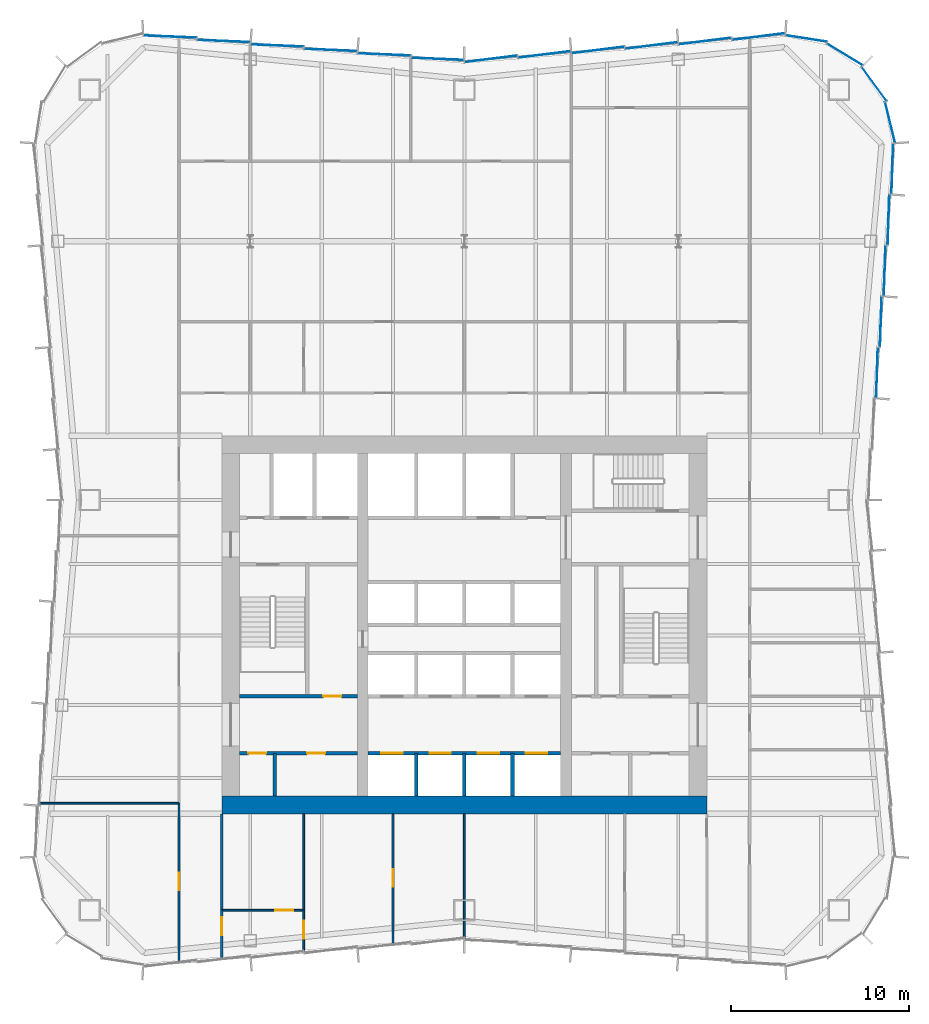
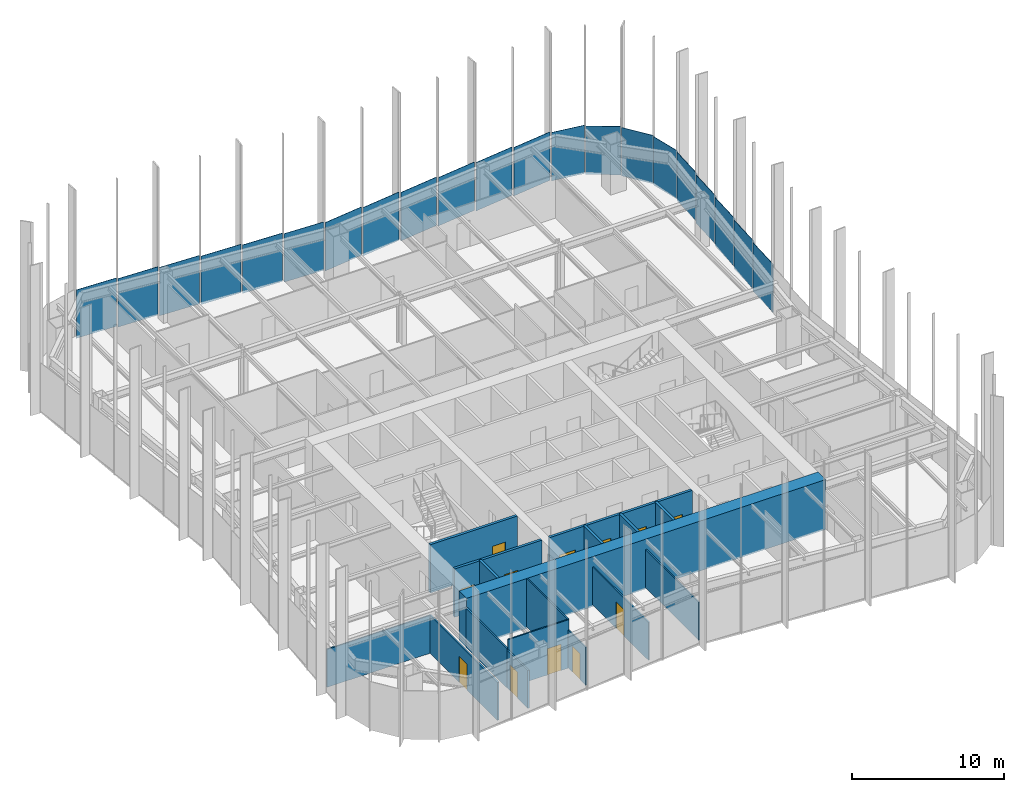
# One storey, part 9 of 13: 21 plates, 17 walls, 12 doors, 12 openings, 3 elements without a shape of their own.
"""IFC4 building model written with IfcOpenShell, lengths in metres."""

from ifc_helpers import new_model, si_unit, direction, frame, frame_2d, origin, origin_2d, place, context, subcontext, project, spatial, rectangle, extrude, material, layer, layer_set, type_object, element, fill, aggregate, save


model = new_model("IFC4")

# Units and contexts
model_context = context("Model", 3, precision=1e-05, world=origin(), true_north=direction((0.0, 1.0)))
body_context = subcontext(model_context, "Body", "Model", "MODEL_VIEW")
ifc_project = project(units=[si_unit("LENGTHUNIT", "METRE"), si_unit("AREAUNIT", "SQUARE_METRE"), si_unit("VOLUMEUNIT", "CUBIC_METRE"), si_unit("PLANEANGLEUNIT", "RADIAN"), si_unit("MASSUNIT", "GRAM", prefix="KILO")], contexts=[model_context])

# Site, building, storey
site_placement = place(None, origin())
site = spatial("IfcSite", under=ifc_project, at=site_placement, CompositionType="ELEMENT")
building_placement = place(site_placement, origin())
building = spatial("IfcBuilding", under=site, at=building_placement, Name="Verdant Reach Tower", CompositionType="ELEMENT")
storey_placement = place(building_placement, frame((0.0, 0.0, 138.0)))
storey = spatial("IfcBuildingStorey", under=building, at=storey_placement, Name="L31", CompositionType="ELEMENT", Elevation=138.0)

# Curtain wall, plates
ifc_material_1 = material(Name="Anodised aluminium", Category="aluminium")
curtain_wall_type = type_object("IfcCurtainWallType", Name="EN-CW SYSTEM Z2", PredefinedType="NOTDEFINED", material=ifc_material_1)
curtain_wall_1_placement = place(storey_placement, origin())
curtain_wall_1 = element("IfcCurtainWall", 1, at=curtain_wall_1_placement, inside=storey, type_object=curtain_wall_type, Name="Curtain wall east, L31", PredefinedType="NOTDEFINED")
ifc_material_2 = material(Name="Tinted glass with champagne spandrel", Category="glass")
ifc_layer_1 = layer(ifc_material_2, 0.031982421875)
ifc_layer_set_1 = layer_set([ifc_layer_1], Name="EN-PANEL CHAMPAGNE")
plate_type_1 = type_object("IfcPlateType", Name="EN-PANEL CHAMPAGNE", PredefinedType="CURTAIN_PANEL", material=ifc_layer_set_1)
plate_1_placement = place(storey_placement, frame((23.141357421875, 42.135009765625, -0.22607421875), z_axis=(0.0, 0.0, 1.0), x_axis=(0.032965971753, 0.999456474643, 0.0)))
plate_1 = element("IfcPlate", 2, at=plate_1_placement, type_object=plate_type_1, Name="Glass panel east face part 2 3.1, L31", PredefinedType="CURTAIN_PANEL", context=body_context, shape_type="SweptSolid", body=[
    extrude(rectangle(XDim=2.80517578125, YDim=0.031982421875, at=origin_2d()), origin(), (0.0, 0.0, 1.0), 3.8759765625),
])
plate_2_placement = place(storey_placement, frame((23.355712890625, 44.9921875, -0.22607421875), z_axis=(0.0, 0.0, 1.0), x_axis=(0.032965971753, 0.999456474643, 0.0)))
plate_2 = element("IfcPlate", 3, at=plate_2_placement, type_object=plate_type_1, Name="Glass panel east face part 2 4.1, L31", PredefinedType="CURTAIN_PANEL", context=body_context, shape_type="SweptSolid", body=[
    extrude(rectangle(XDim=2.80517578125, YDim=0.031982421875, at=origin_2d()), origin(), (0.0, 0.0, 1.0), 3.8759765625),
])
plate_3_placement = place(storey_placement, frame((23.570068359375, 47.84912109375, -0.22607421875), z_axis=(0.0, 0.0, 1.0), x_axis=(0.032965971753, 0.999456474643, 0.0)))
plate_3 = element("IfcPlate", 4, at=plate_3_placement, type_object=plate_type_1, Name="Glass panel east face part 2 5.1, L31", PredefinedType="CURTAIN_PANEL", context=body_context, shape_type="SweptSolid", body=[
    extrude(rectangle(XDim=2.80517578125, YDim=0.031982421875, at=origin_2d()), origin(), (0.0, 0.0, 1.0), 3.8759765625),
])

curtain_wall_2_placement = place(storey_placement, origin())
curtain_wall_2 = element("IfcCurtainWall", 5, at=curtain_wall_2_placement, inside=storey, type_object=curtain_wall_type, Name="Curtain wall north-east corner, L31", PredefinedType="NOTDEFINED")
plate_4_placement = place(storey_placement, frame((22.9794921875, 58.3271484375, -0.22607421875), z_axis=(0.0, 0.0, 1.0), x_axis=(-0.589926757843, 0.807456760688, 0.0)))
plate_4 = element("IfcPlate", 6, at=plate_4_placement, type_object=plate_type_1, Name="Glass panel north-east corner 2.1, L31", PredefinedType="CURTAIN_PANEL", context=body_context, shape_type="SweptSolid", body=[
    extrude(rectangle(XDim=2.322509765625, YDim=0.031982421875, at=origin_2d()), origin(), (0.0, 0.0, 1.0), 3.8759765625),
])
plate_5_placement = place(storey_placement, frame((21.3271484375, 59.9794921875, -0.22607421875), z_axis=(0.0, 0.0, 1.0), x_axis=(-0.853988694998, 0.520291561353, 0.0)))
plate_5 = element("IfcPlate", 7, at=plate_5_placement, type_object=plate_type_1, Name="Glass panel north-east corner 3.1, L31", PredefinedType="CURTAIN_PANEL", context=body_context, shape_type="SweptSolid", body=[
    extrude(rectangle(XDim=2.322509765625, YDim=0.031982421875, at=origin_2d()), origin(), (0.0, 0.0, 1.0), 3.8759765625),
])

curtain_wall_3_placement = place(storey_placement, origin())
curtain_wall_3 = element("IfcCurtainWall", 8, at=curtain_wall_3_placement, inside=storey, type_object=curtain_wall_type, Name="Curtain wall north, L31", PredefinedType="NOTDEFINED")
plate_6_placement = place(storey_placement, frame((16.49853515625, 60.980712890625, -0.22607421875), z_axis=(0.0, 0.0, 1.0), x_axis=(-0.992236570309, -0.124364739946, 0.0)))
plate_6 = element("IfcPlate", 9, at=plate_6_placement, type_object=plate_type_1, Name="Glass panel north face part 1 1.1, L31", PredefinedType="CURTAIN_PANEL", context=body_context, shape_type="SweptSolid", body=[
    extrude(rectangle(XDim=2.965087890625, YDim=0.031982421875, at=origin_2d()), origin(), (0.0, 0.0, 1.0), 3.8759765625),
])
plate_7_placement = place(storey_placement, frame((13.4912109375, 60.730712890625, -0.22607421875), z_axis=(0.0, 0.0, 1.0), x_axis=(-0.992194034542, -0.124703639961, 0.0)))
plate_7 = element("IfcPlate", 10, at=plate_7_placement, type_object=plate_type_1, Name="Glass panel north face part 1 2.1, L31", PredefinedType="CURTAIN_PANEL", context=body_context, shape_type="SweptSolid", body=[
    extrude(rectangle(XDim=2.950439453125, YDim=0.031982421875, at=origin_2d()), origin(), (0.0, 0.0, 1.0), 3.8759765625),
])
plate_8_placement = place(storey_placement, frame((-4.4912109375, 59.980712890625, -0.22607421875), z_axis=(0.0, 0.0, 1.0), x_axis=(-0.999149202059, 0.041241629766, 0.0)))
plate_8 = element("IfcPlate", 11, at=plate_8_placement, type_object=plate_type_1, Name="Glass panel north face part 2 2.1, L31", PredefinedType="CURTAIN_PANEL", context=body_context, shape_type="SweptSolid", body=[
    extrude(rectangle(XDim=2.950439453125, YDim=0.031982421875, at=origin_2d()), origin(), (0.0, 0.0, 1.0), 3.8759765625),
])
plate_9_placement = place(storey_placement, frame((-7.4912109375, 60.230712890625, -0.22607421875), z_axis=(0.0, 0.0, 1.0), x_axis=(-0.999149202059, 0.041241629766, 0.0)))
plate_9 = element("IfcPlate", 12, at=plate_9_placement, type_object=plate_type_1, Name="Glass panel north face part 2 3.1, L31", PredefinedType="CURTAIN_PANEL", context=body_context, shape_type="SweptSolid", body=[
    extrude(rectangle(XDim=2.950439453125, YDim=0.031982421875, at=origin_2d()), origin(), (0.0, 0.0, 1.0), 3.8759765625),
])

# Plate
ifc_material_3 = material(Name="Tinted glass with copper spandrel", Category="glass")
ifc_layer_2 = layer(ifc_material_3, 0.031982421875)
ifc_layer_set_2 = layer_set([ifc_layer_2], Name="EN-PANEL COPPER")
plate_type_2 = type_object("IfcPlateType", Name="EN-PANEL COPPER", PredefinedType="CURTAIN_PANEL", material=ifc_layer_set_2)
plate_10_placement = place(storey_placement, frame((23.7841796875, 50.706298828125, -0.22607421875), z_axis=(0.0, 0.0, 1.0), x_axis=(0.032965971753, 0.999456474643, 0.0)))
plate_10 = element("IfcPlate", 13, at=plate_10_placement, type_object=plate_type_2, Name="Glass panel east face part 2 6.1, L31", PredefinedType="CURTAIN_PANEL", context=body_context, shape_type="SweptSolid", body=[
    extrude(rectangle(XDim=2.80517578125, YDim=0.031982421875, at=origin_2d()), origin(), (0.0, 0.0, 1.0), 3.8759765625),
])

plate_11_placement = place(storey_placement, frame((23.99853515625, 53.57080078125, -0.22607421875), z_axis=(0.0, 0.0, 1.0), x_axis=(0.032628234484, 0.99946755741, 0.0)))
plate_11 = element("IfcPlate", 14, at=plate_11_placement, type_object=plate_type_2, Name="Glass panel east face part 2 7.1, L31", PredefinedType="CURTAIN_PANEL", context=body_context, shape_type="SweptSolid", body=[
    extrude(rectangle(XDim=2.819580078125, YDim=0.031982421875, at=origin_2d()), origin(), (0.0, 0.0, 1.0), 3.8759765625),
])

aggregate(curtain_wall_1, [plate_1, plate_2, plate_3, plate_10, plate_11])

plate_12_placement = place(storey_placement, frame((19.17138671875, 60.87353515625, -0.22607421875), z_axis=(0.0, 0.0, 1.0), x_axis=(-0.988030887576, 0.154256167447, 0.0)))
plate_12 = element("IfcPlate", 15, at=plate_12_placement, type_object=plate_type_2, Name="Glass panel north-east corner 4.1, L31", PredefinedType="CURTAIN_PANEL", context=body_context, shape_type="SweptSolid", body=[
    extrude(rectangle(XDim=2.31640625, YDim=0.031982421875, at=origin_2d()), origin(), (0.0, 0.0, 1.0), 3.8759765625),
])

plate_13_placement = place(storey_placement, frame((10.4912109375, 60.480712890625, -0.22607421875), z_axis=(0.0, 0.0, 1.0), x_axis=(-0.992194034542, -0.124703639961, 0.0)))
plate_13 = element("IfcPlate", 16, at=plate_13_placement, type_object=plate_type_2, Name="Glass panel north face part 1 3.1, L31", PredefinedType="CURTAIN_PANEL", context=body_context, shape_type="SweptSolid", body=[
    extrude(rectangle(XDim=2.950439453125, YDim=0.031982421875, at=origin_2d()), origin(), (0.0, 0.0, 1.0), 3.8759765625),
])

plate_14_placement = place(storey_placement, frame((7.4912109375, 60.230712890625, -0.22607421875), z_axis=(0.0, 0.0, 1.0), x_axis=(-0.992194034542, -0.124703639961, 0.0)))
plate_14 = element("IfcPlate", 17, at=plate_14_placement, type_object=plate_type_2, Name="Glass panel north face part 1 4.1, L31", PredefinedType="CURTAIN_PANEL", context=body_context, shape_type="SweptSolid", body=[
    extrude(rectangle(XDim=2.950439453125, YDim=0.031982421875, at=origin_2d()), origin(), (0.0, 0.0, 1.0), 3.8759765625),
])

plate_15_placement = place(storey_placement, frame((-10.4912109375, 60.480712890625, -0.22607421875), z_axis=(0.0, 0.0, 1.0), x_axis=(-0.999149202059, 0.041241629766, 0.0)))
plate_15 = element("IfcPlate", 18, at=plate_15_placement, type_object=plate_type_2, Name="Glass panel north face part 2 4.1, L31", PredefinedType="CURTAIN_PANEL", context=body_context, shape_type="SweptSolid", body=[
    extrude(rectangle(XDim=2.950439453125, YDim=0.031982421875, at=origin_2d()), origin(), (0.0, 0.0, 1.0), 3.8759765625),
])

plate_16_placement = place(storey_placement, frame((-13.4912109375, 60.730712890625, -0.22607421875), z_axis=(0.0, 0.0, 1.0), x_axis=(-0.999149202059, 0.041241629766, 0.0)))
plate_16 = element("IfcPlate", 19, at=plate_16_placement, type_object=plate_type_2, Name="Glass panel north face part 2 5.1, L31", PredefinedType="CURTAIN_PANEL", context=body_context, shape_type="SweptSolid", body=[
    extrude(rectangle(XDim=2.950439453125, YDim=0.031982421875, at=origin_2d()), origin(), (0.0, 0.0, 1.0), 3.8759765625),
])

plate_17_placement = place(storey_placement, frame((-16.49853515625, 60.980712890625, -0.22607421875), z_axis=(0.0, 0.0, 1.0), x_axis=(-0.999163230224, 0.040900359019, 0.0)))
plate_17 = element("IfcPlate", 20, at=plate_17_placement, type_object=plate_type_2, Name="Glass panel north face part 2 6.1, L31", PredefinedType="CURTAIN_PANEL", context=body_context, shape_type="SweptSolid", body=[
    extrude(rectangle(XDim=2.965087890625, YDim=0.031982421875, at=origin_2d()), origin(), (0.0, 0.0, 1.0), 3.8759765625),
])

ifc_material_4 = material(Name="Tinted glass with dark bronze spandrel", Category="glass")
ifc_layer_3 = layer(ifc_material_4, 0.031982421875)
ifc_layer_set_3 = layer_set([ifc_layer_3], Name="EN-PANEL DARK")
plate_type_3 = type_object("IfcPlateType", Name="EN-PANEL DARK", PredefinedType="CURTAIN_PANEL", material=ifc_layer_set_3)
plate_18_placement = place(storey_placement, frame((23.87353515625, 56.171630859375, -0.22607421875), z_axis=(0.0, 0.0, 1.0), x_axis=(-0.236416170006, 0.971651889598, 0.0)))
plate_18 = element("IfcPlate", 21, at=plate_18_placement, type_object=plate_type_3, Name="Glass panel north-east corner 1.1, L31", PredefinedType="CURTAIN_PANEL", context=body_context, shape_type="SweptSolid", body=[
    extrude(rectangle(XDim=2.316162109375, YDim=0.031982421875, at=origin_2d()), origin(), (0.0, 0.0, 1.0), 3.8759765625),
])

aggregate(curtain_wall_2, [plate_18, plate_4, plate_5, plate_12])

plate_19_placement = place(storey_placement, frame((4.4912109375, 59.980712890625, -0.22607421875), z_axis=(0.0, 0.0, 1.0), x_axis=(-0.992194034542, -0.124703639961, 0.0)))
plate_19 = element("IfcPlate", 22, at=plate_19_placement, type_object=plate_type_3, Name="Glass panel north face part 1 5.1, L31", PredefinedType="CURTAIN_PANEL", context=body_context, shape_type="SweptSolid", body=[
    extrude(rectangle(XDim=2.950439453125, YDim=0.031982421875, at=origin_2d()), origin(), (0.0, 0.0, 1.0), 3.8759765625),
])

plate_20_placement = place(storey_placement, frame((1.49560546875, 59.730712890625, -0.22607421875), z_axis=(0.0, 0.0, 1.0), x_axis=(-0.992178815188, -0.12482467181, 0.0)))
plate_20 = element("IfcPlate", 23, at=plate_20_placement, type_object=plate_type_3, Name="Glass panel north face part 1 6.1, L31", PredefinedType="CURTAIN_PANEL", context=body_context, shape_type="SweptSolid", body=[
    extrude(rectangle(XDim=2.941650390625, YDim=0.031982421875, at=origin_2d()), origin(), (0.0, 0.0, 1.0), 3.8759765625),
])

plate_21_placement = place(storey_placement, frame((-1.49560546875, 59.730712890625, -0.22607421875), z_axis=(0.0, 0.0, 1.0), x_axis=(-0.999144163765, 0.041363510662, 0.0)))
plate_21 = element("IfcPlate", 24, at=plate_21_placement, type_object=plate_type_3, Name="Glass panel north face part 2 1.1, L31", PredefinedType="CURTAIN_PANEL", context=body_context, shape_type="SweptSolid", body=[
    extrude(rectangle(XDim=2.941650390625, YDim=0.031982421875, at=origin_2d()), origin(), (0.0, 0.0, 1.0), 3.8759765625),
])

aggregate(curtain_wall_3, [plate_6, plate_7, plate_13, plate_14, plate_19, plate_20, plate_21, plate_8, plate_9, plate_15, plate_16, plate_17])

# Wall, openings, doors
ifc_material_5 = material(Name="Gypsum board on steel studs", Category="steel")
ifc_layer_4 = layer(ifc_material_5, 0.199951171875)
ifc_layer_set_4 = layer_set([ifc_layer_4], Name="CO-WALL-ROOM")
wall_type_1 = type_object("IfcWallType", Name="CO-WALL-ROOM", PredefinedType="PARTITIONING", material=ifc_layer_set_4)
wall_1_placement = place(storey_placement, frame((-12.60009765625, 20.800048828125, 0.0), z_axis=(0.0, 0.0, 1.0), x_axis=(1.0, 0.0, 0.0)))
wall_1 = element("IfcWall", 25, at=wall_1_placement, inside=storey, type_object=wall_type_1, Name="Core partition, L31", PredefinedType="PARTITIONING", context=body_context, shape_type="SweptSolid", body=[
    extrude(rectangle(XDim=6.60009765625, YDim=0.199951171875, at=frame_2d((3.300048828125, 0.0))), origin(), (0.0, 0.0, 1.0), 3.8701171875),
])
opening_1_placement = place(wall_1_placement, frame((0.489990234375, 0.0, 0.0)))
opening_1 = element("IfcOpeningElement", 26, at=opening_1_placement, cuts=wall_1, Name="Opening CD", PredefinedType="OPENING", context=body_context, shape_type="SweptSolid", body=[
    extrude(rectangle(XDim=1.0, YDim=2.10009765625, at=frame_2d((0.5, 1.050048828125))), frame((0.0, 0.10986328125, 0.0), z_axis=(0.0, -1.0, 0.0), x_axis=(1.0, 0.0, 0.0)), (0.0, 0.0, 1.0), 0.219970703125),
])
opening_2_placement = place(wall_1_placement, frame((3.7900390625, 0.0, 0.0)))
opening_2 = element("IfcOpeningElement", 27, at=opening_2_placement, cuts=wall_1, Name="Opening CD", PredefinedType="OPENING", context=body_context, shape_type="SweptSolid", body=[
    extrude(rectangle(XDim=1.0, YDim=2.10009765625, at=frame_2d((0.5, 1.050048828125))), frame((0.0, 0.10986328125, 0.0), z_axis=(0.0, -1.0, 0.0), x_axis=(1.0, 0.0, 0.0)), (0.0, 0.0, 1.0), 0.219970703125),
])
ifc_material_6 = material(Name="Timber", Category="wood")
door_type_1 = type_object("IfcDoorType", Name="CO-DOOR-ROOM", OperationType="NOTDEFINED", PredefinedType="DOOR", material=ifc_material_6)
door_1_placement = place(opening_1_placement, origin())
door_1 = element("IfcDoor", 28, at=door_1_placement, inside=storey, type_object=door_type_1, Name="Core room door, L31", OperationType="SINGLE_SWING_RIGHT", OverallHeight=2.10009765625, OverallWidth=1.0, PredefinedType="DOOR", context=body_context, shape_type="SweptSolid", body=[
    extrude(rectangle(XDim=1.0, YDim=2.10009765625, at=frame_2d((0.5, 1.050048828125))), frame((0.0, 0.02490234375, 0.0), z_axis=(0.0, -1.0, 0.0), x_axis=(1.0, 0.0, 0.0)), (0.0, 0.0, 1.0), 0.050048828125),
])
fill(opening_1, door_1)
door_2_placement = place(opening_2_placement, origin())
door_2 = element("IfcDoor", 29, at=door_2_placement, inside=storey, type_object=door_type_1, Name="Core room door, L31", OperationType="SINGLE_SWING_RIGHT", OverallHeight=2.10009765625, OverallWidth=1.0, PredefinedType="DOOR", context=body_context, shape_type="SweptSolid", body=[
    extrude(rectangle(XDim=1.0, YDim=2.10009765625, at=frame_2d((0.5, 1.050048828125))), frame((0.0, 0.02490234375, 0.0), z_axis=(0.0, -1.0, 0.0), x_axis=(1.0, 0.0, 0.0)), (0.0, 0.0, 1.0), 0.050048828125),
])
fill(opening_2, door_2)

# Wall
wall_2_placement = place(storey_placement, frame((-10.6201171875, 18.39990234375, 0.0), z_axis=(0.0, 0.0, 1.0), x_axis=(0.0, 1.0, 0.0)))
element("IfcWall", 30, at=wall_2_placement, inside=storey, type_object=wall_type_1, Name="Core partition, L31", PredefinedType="PARTITIONING", context=body_context, shape_type="SweptSolid", body=[
    extrude(rectangle(XDim=2.400146484375, YDim=0.199951171875, at=frame_2d((1.2001953125, 0.0))), origin(), (0.0, 0.0, 1.0), 3.8701171875),
])

# Wall, openings, doors
ifc_material_7 = material(Name="Concrete C40/50", Category="concrete")
ifc_layer_5 = layer(ifc_material_7, 0.199951171875)
ifc_layer_set_5 = layer_set([ifc_layer_5], Name="CO-WALL-SHAFT")
wall_type_2 = type_object("IfcWallType", Name="CO-WALL-SHAFT", PredefinedType="PARTITIONING", material=ifc_layer_set_5)
wall_3_placement = place(storey_placement, frame((-5.39990234375, 20.800048828125, 0.0), z_axis=(0.0, 0.0, 1.0), x_axis=(1.0, 0.0, 0.0)))
wall_3 = element("IfcWall", 31, at=wall_3_placement, inside=storey, type_object=wall_type_2, Name="Lift shaft wall, L31", PredefinedType="PARTITIONING", context=body_context, shape_type="SweptSolid", body=[
    extrude(rectangle(XDim=10.7998046875, YDim=0.199951171875, at=frame_2d((5.39990234375, 0.0))), origin(), (0.0, 0.0, 1.0), 3.8701171875),
])
opening_3_placement = place(wall_3_placement, frame((0.75, 0.0, 0.0)))
opening_3 = element("IfcOpeningElement", 32, at=opening_3_placement, cuts=wall_3, Name="Opening LD-A1", PredefinedType="OPENING", context=body_context, shape_type="SweptSolid", body=[
    extrude(rectangle(XDim=1.199951171875, YDim=2.199951171875, at=frame_2d((0.60009765625, 1.10009765625))), frame((0.0, 0.10986328125, 0.0), z_axis=(0.0, -1.0, 0.0), x_axis=(1.0, 0.0, 0.0)), (0.0, 0.0, 1.0), 0.219970703125),
])
opening_4_placement = place(wall_3_placement, frame((3.449951171875, 0.0, 0.0)))
opening_4 = element("IfcOpeningElement", 33, at=opening_4_placement, cuts=wall_3, Name="Opening LD-A2", PredefinedType="OPENING", context=body_context, shape_type="SweptSolid", body=[
    extrude(rectangle(XDim=1.199951171875, YDim=2.199951171875, at=frame_2d((0.60009765625, 1.10009765625))), frame((0.0, 0.10986328125, 0.0), z_axis=(0.0, -1.0, 0.0), x_axis=(1.0, 0.0, 0.0)), (0.0, 0.0, 1.0), 0.219970703125),
])
opening_5_placement = place(wall_3_placement, frame((6.14990234375, 0.0, 0.0)))
opening_5 = element("IfcOpeningElement", 34, at=opening_5_placement, cuts=wall_3, Name="Opening LD-A3", PredefinedType="OPENING", context=body_context, shape_type="SweptSolid", body=[
    extrude(rectangle(XDim=1.199951171875, YDim=2.199951171875, at=frame_2d((0.60009765625, 1.10009765625))), frame((0.0, 0.10986328125, 0.0), z_axis=(0.0, -1.0, 0.0), x_axis=(1.0, 0.0, 0.0)), (0.0, 0.0, 1.0), 0.219970703125),
])
opening_6_placement = place(wall_3_placement, frame((8.85009765625, 0.0, 0.0)))
opening_6 = element("IfcOpeningElement", 35, at=opening_6_placement, cuts=wall_3, Name="Opening LD-A4", PredefinedType="OPENING", context=body_context, shape_type="SweptSolid", body=[
    extrude(rectangle(XDim=1.199951171875, YDim=2.199951171875, at=frame_2d((0.60009765625, 1.10009765625))), frame((0.0, 0.10986328125, 0.0), z_axis=(0.0, -1.0, 0.0), x_axis=(1.0, 0.0, 0.0)), (0.0, 0.0, 1.0), 0.219970703125),
])
ifc_material_8 = material(Name="Stainless steel", Category="steel")
door_type_2 = type_object("IfcDoorType", Name="CO-DOOR-LANDING", OperationType="SLIDING_TO_LEFT", PredefinedType="DOOR", material=ifc_material_8)
door_3_placement = place(opening_3_placement, origin())
door_3 = element("IfcDoor", 36, at=door_3_placement, inside=storey, type_object=door_type_2, Name="Landing door A1, L31", OperationType="SLIDING_TO_LEFT", OverallHeight=2.199951171875, OverallWidth=1.199951171875, PredefinedType="DOOR", context=body_context, shape_type="SweptSolid", body=[
    extrude(rectangle(XDim=1.199951171875, YDim=2.199951171875, at=frame_2d((0.60009765625, 1.10009765625))), frame((0.0, 0.02490234375, 0.0), z_axis=(0.0, -1.0, 0.0), x_axis=(1.0, 0.0, 0.0)), (0.0, 0.0, 1.0), 0.050048828125),
])
fill(opening_3, door_3)
door_4_placement = place(opening_4_placement, origin())
door_4 = element("IfcDoor", 37, at=door_4_placement, inside=storey, type_object=door_type_2, Name="Landing door A2, L31", OperationType="SLIDING_TO_LEFT", OverallHeight=2.199951171875, OverallWidth=1.199951171875, PredefinedType="DOOR", context=body_context, shape_type="SweptSolid", body=[
    extrude(rectangle(XDim=1.199951171875, YDim=2.199951171875, at=frame_2d((0.60009765625, 1.10009765625))), frame((0.0, 0.02490234375, 0.0), z_axis=(0.0, -1.0, 0.0), x_axis=(1.0, 0.0, 0.0)), (0.0, 0.0, 1.0), 0.050048828125),
])
fill(opening_4, door_4)
door_5_placement = place(opening_5_placement, origin())
door_5 = element("IfcDoor", 38, at=door_5_placement, inside=storey, type_object=door_type_2, Name="Landing door A3, L31", OperationType="SLIDING_TO_LEFT", OverallHeight=2.199951171875, OverallWidth=1.199951171875, PredefinedType="DOOR", context=body_context, shape_type="SweptSolid", body=[
    extrude(rectangle(XDim=1.199951171875, YDim=2.199951171875, at=frame_2d((0.60009765625, 1.10009765625))), frame((0.0, 0.02490234375, 0.0), z_axis=(0.0, -1.0, 0.0), x_axis=(1.0, 0.0, 0.0)), (0.0, 0.0, 1.0), 0.050048828125),
])
fill(opening_5, door_5)
door_6_placement = place(opening_6_placement, origin())
door_6 = element("IfcDoor", 39, at=door_6_placement, inside=storey, type_object=door_type_2, Name="Landing door A4, L31", OperationType="SLIDING_TO_LEFT", OverallHeight=2.199951171875, OverallWidth=1.199951171875, PredefinedType="DOOR", context=body_context, shape_type="SweptSolid", body=[
    extrude(rectangle(XDim=1.199951171875, YDim=2.199951171875, at=frame_2d((0.60009765625, 1.10009765625))), frame((0.0, 0.02490234375, 0.0), z_axis=(0.0, -1.0, 0.0), x_axis=(1.0, 0.0, 0.0)), (0.0, 0.0, 1.0), 0.050048828125),
])
fill(opening_6, door_6)

# Walls
for number, where, z_axis, x_axis, name in (
    (40, (-2.699951171875, 18.39990234375, 0.0), (0.0, 0.0, 1.0), (0.0, 1.0, 0.0), "Lift shaft wall, L31"),
    (41, (0.0, 18.39990234375, 0.0), (0.0, 0.0, 1.0), (0.0, 1.0, 0.0), "Lift shaft wall, L31"),
    (42, (2.699951171875, 18.39990234375, 0.0), (0.0, 0.0, 1.0), (0.0, 1.0, 0.0), "Lift shaft wall, L31"),
):
    element("IfcWall", number, at=place(storey_placement, frame(where, z_axis=z_axis, x_axis=x_axis)), inside=storey, type_object=wall_type_2, Name=name, PredefinedType="PARTITIONING", context=body_context, shape_type="SweptSolid", body=[
        extrude(rectangle(XDim=2.400146484375, YDim=0.199951171875, at=frame_2d((1.2001953125, 0.0))), origin(), (0.0, 0.0, 1.0), 3.8701171875),
    ])

# Wall, opening, door
ifc_layer_6 = layer(ifc_material_7, 0.199951171875)
ifc_layer_set_6 = layer_set([ifc_layer_6], Name="CO-WALL-STAIR")
wall_type_3 = type_object("IfcWallType", Name="CO-WALL-STAIR", PredefinedType="PARTITIONING", material=ifc_layer_set_6)
wall_4_placement = place(storey_placement, frame((-12.60009765625, 24.0, 0.0), z_axis=(0.0, 0.0, 1.0), x_axis=(1.0, 0.0, 0.0)))
wall_4 = element("IfcWall", 43, at=wall_4_placement, inside=storey, type_object=wall_type_3, Name="Stair enclosure wall, L31", PredefinedType="PARTITIONING", context=body_context, shape_type="SweptSolid", body=[
    extrude(rectangle(XDim=6.60009765625, YDim=0.199951171875, at=frame_2d((3.300048828125, 0.0))), origin(), (0.0, 0.0, 1.0), 3.8701171875),
])
opening_7_placement = place(wall_4_placement, frame((4.699951171875, 0.0, 0.0)))
opening_7 = element("IfcOpeningElement", 44, at=opening_7_placement, cuts=wall_4, Name="Opening CD", PredefinedType="OPENING", context=body_context, shape_type="SweptSolid", body=[
    extrude(rectangle(XDim=1.0, YDim=2.10009765625, at=frame_2d((0.5, 1.050048828125))), frame((0.0, 0.10986328125, 0.0), z_axis=(0.0, -1.0, 0.0), x_axis=(1.0, 0.0, 0.0)), (0.0, 0.0, 1.0), 0.219970703125),
])
door_7_placement = place(opening_7_placement, origin())
door_7 = element("IfcDoor", 45, at=door_7_placement, inside=storey, type_object=door_type_1, Name="Core room door, L31", OperationType="SINGLE_SWING_RIGHT", OverallHeight=2.10009765625, OverallWidth=1.0, PredefinedType="DOOR", context=body_context, shape_type="SweptSolid", body=[
    extrude(rectangle(XDim=1.0, YDim=2.10009765625, at=frame_2d((0.5, 1.050048828125))), frame((0.0, 0.02490234375, 0.0), z_axis=(0.0, -1.0, 0.0), x_axis=(1.0, 0.0, 0.0)), (0.0, 0.0, 1.0), 0.050048828125),
])
fill(opening_7, door_7)

# Wall
ifc_layer_7 = layer(ifc_material_5, 0.10009765625)
ifc_layer_set_7 = layer_set([ifc_layer_7], Name="FL-W1 Partition 100")
wall_type_4 = type_object("IfcWallType", Name="FL-W1 Partition 100", PredefinedType="PARTITIONING", material=ifc_layer_set_7)
wall_5_placement = place(storey_placement, frame((-16.0, 18.0, 0.0), z_axis=(0.0, 0.0, 1.0), x_axis=(-1.0, 0.0, 0.0)))
element("IfcWall", 46, at=wall_5_placement, inside=storey, type_object=wall_type_4, Name="Partition 31.19", PredefinedType="PARTITIONING", context=body_context, shape_type="SweptSolid", body=[
    extrude(rectangle(XDim=7.85498046875, YDim=0.10009765625, at=frame_2d((3.927490234375, 0.0))), origin(), (0.0, 0.0, 1.0), 3.0400390625),
])

# Wall, opening, door
wall_6_placement = place(storey_placement, frame((-13.60009765625, 12.0, 0.0), z_axis=(0.0, 0.0, 1.0), x_axis=(1.0, 0.0, 0.0)))
wall_6 = element("IfcWall", 47, at=wall_6_placement, inside=storey, type_object=wall_type_4, Name="Partition 31.31", PredefinedType="PARTITIONING", context=body_context, shape_type="SweptSolid", body=[
    extrude(rectangle(XDim=4.60009765625, YDim=0.10009765625, at=frame_2d((2.300048828125, 0.0))), origin(), (0.0, 0.0, 1.0), 3.8701171875),
])
opening_8_placement = place(wall_6_placement, frame((3.0, 0.0, 0.0)))
opening_8 = element("IfcOpeningElement", 48, at=opening_8_placement, cuts=wall_6, Name="Opening D3", PredefinedType="OPENING", context=body_context, shape_type="SweptSolid", body=[
    extrude(rectangle(XDim=1.0, YDim=2.10009765625, at=frame_2d((0.5, 1.050048828125))), frame((0.0, 0.06005859375, 0.0), z_axis=(0.0, -1.0, 0.0), x_axis=(1.0, 0.0, 0.0)), (0.0, 0.0, 1.0), 0.1201171875),
])
ifc_material_9 = material(Name="Painted timber door leaf", Category="wood")
door_type_3 = type_object("IfcDoorType", Name="FL-D3 Door 1000x2100", OperationType="NOTDEFINED", PredefinedType="DOOR", material=ifc_material_9)
door_8_placement = place(opening_8_placement, origin())
door_8 = element("IfcDoor", 49, at=door_8_placement, inside=storey, type_object=door_type_3, Name="Door 31-016", OperationType="SINGLE_SWING_RIGHT", OverallHeight=2.10009765625, OverallWidth=1.0, PredefinedType="DOOR", context=body_context, shape_type="SweptSolid", body=[
    extrude(rectangle(XDim=1.0, YDim=2.10009765625, at=frame_2d((0.5, 1.050048828125))), frame((0.0, 0.02490234375, 0.0), z_axis=(0.0, -1.0, 0.0), x_axis=(1.0, 0.0, 0.0)), (0.0, 0.0, 1.0), 0.050048828125),
])
fill(opening_8, door_8)

wall_7_placement = place(storey_placement, frame((-9.0, 12.00390625, 0.0), z_axis=(0.0, 0.0, 1.0), x_axis=(0.0, -1.0, 0.0)))
wall_7 = element("IfcWall", 50, at=wall_7_placement, inside=storey, type_object=wall_type_4, Name="Partition 31.32", PredefinedType="PARTITIONING", context=body_context, shape_type="SweptSolid", body=[
    extrude(rectangle(XDim=2.333984375, YDim=0.10009765625, at=frame_2d((1.1669921875, 0.0))), origin(), (0.0, 0.0, 1.0), 3.0400390625),
])
opening_9_placement = place(wall_7_placement, frame((0.601806640625, 0.0, 0.0)))
opening_9 = element("IfcOpeningElement", 51, at=opening_9_placement, cuts=wall_7, Name="Opening D3", PredefinedType="OPENING", context=body_context, shape_type="SweptSolid", body=[
    extrude(rectangle(XDim=1.0, YDim=2.10009765625, at=frame_2d((0.5, 1.050048828125))), frame((0.0, 0.06005859375, 0.0), z_axis=(0.0, -1.0, 0.0), x_axis=(1.0, 0.0, 0.0)), (0.0, 0.0, 1.0), 0.1201171875),
])
door_9_placement = place(opening_9_placement, origin())
door_9 = element("IfcDoor", 52, at=door_9_placement, inside=storey, type_object=door_type_3, Name="Door 31-017", OperationType="SINGLE_SWING_LEFT", OverallHeight=2.10009765625, OverallWidth=1.0, PredefinedType="DOOR", context=body_context, shape_type="SweptSolid", body=[
    extrude(rectangle(XDim=1.0, YDim=2.10009765625, at=frame_2d((0.5, 1.050048828125))), frame((0.0, 0.02490234375, 0.0), z_axis=(0.0, -1.0, 0.0), x_axis=(1.0, 0.0, 0.0)), (0.0, 0.0, 1.0), 0.050048828125),
])
fill(opening_9, door_9)

# Wall
wall_8_placement = place(storey_placement, frame((-9.0, 11.99609375, 0.0), z_axis=(0.0, 0.0, 1.0), x_axis=(0.0, 1.0, 0.0)))
element("IfcWall", 53, at=wall_8_placement, inside=storey, type_object=wall_type_4, Name="Partition 31.33", PredefinedType="PARTITIONING", context=body_context, shape_type="SweptSolid", body=[
    extrude(rectangle(XDim=5.40380859375, YDim=0.10009765625, at=frame_2d((2.701904296875, 0.0))), origin(), (0.0, 0.0, 1.0), 3.8701171875),
])

# Wall, opening, door
wall_9_placement = place(storey_placement, frame((-4.0, 17.39990234375, 0.0), z_axis=(0.0, 0.0, 1.0), x_axis=(0.0, -1.0, 0.0)))
wall_9 = element("IfcWall", 54, at=wall_9_placement, inside=storey, type_object=wall_type_4, Name="Partition 31.34", PredefinedType="PARTITIONING", context=body_context, shape_type="SweptSolid", body=[
    extrude(rectangle(XDim=7.313232421875, YDim=0.10009765625, at=frame_2d((3.65673828125, 0.0))), origin(), (0.0, 0.0, 1.0), 3.0400390625),
])
opening_10_placement = place(wall_9_placement, frame((3.091552734375, 0.0, 0.0)))
opening_10 = element("IfcOpeningElement", 55, at=opening_10_placement, cuts=wall_9, Name="Opening D3", PredefinedType="OPENING", context=body_context, shape_type="SweptSolid", body=[
    extrude(rectangle(XDim=1.0, YDim=2.10009765625, at=frame_2d((0.5, 1.050048828125))), frame((0.0, 0.06005859375, 0.0), z_axis=(0.0, -1.0, 0.0), x_axis=(1.0, 0.0, 0.0)), (0.0, 0.0, 1.0), 0.1201171875),
])
door_10_placement = place(opening_10_placement, origin())
door_10 = element("IfcDoor", 56, at=door_10_placement, inside=storey, type_object=door_type_3, Name="Door 31-018", OperationType="SINGLE_SWING_LEFT", OverallHeight=2.10009765625, OverallWidth=1.0, PredefinedType="DOOR", context=body_context, shape_type="SweptSolid", body=[
    extrude(rectangle(XDim=1.0, YDim=2.10009765625, at=frame_2d((0.5, 1.050048828125))), frame((0.0, 0.02490234375, 0.0), z_axis=(0.0, -1.0, 0.0), x_axis=(1.0, 0.0, 0.0)), (0.0, 0.0, 1.0), 0.050048828125),
])
fill(opening_10, door_10)

# Wall
wall_10_placement = place(storey_placement, frame((0.0, 10.419921875, 0.0), z_axis=(0.0, 0.0, 1.0), x_axis=(0.0, 1.0, 0.0)))
element("IfcWall", 57, at=wall_10_placement, inside=storey, type_object=wall_type_4, Name="Partition 31.35", PredefinedType="PARTITIONING", context=body_context, shape_type="SweptSolid", body=[
    extrude(rectangle(XDim=6.97998046875, YDim=0.10009765625, at=frame_2d((3.489990234375, 0.0))), origin(), (0.0, 0.0, 1.0), 3.0400390625),
])

# Wall, opening, door
ifc_material_10 = material(Name="Gypsum board on steel studs, fire rated", Category="steel")
ifc_layer_8 = layer(ifc_material_10, 0.125)
ifc_layer_set_8 = layer_set([ifc_layer_8], Name="FL-W2 Corridor wall 125")
wall_type_5 = type_object("IfcWallType", Name="FL-W2 Corridor wall 125", PredefinedType="PARTITIONING", material=ifc_layer_set_8)
wall_11_placement = place(storey_placement, frame((-16.0, 9.086669921875, 0.0), z_axis=(0.0, 0.0, 1.0), x_axis=(0.0, 1.0, 0.0)))
wall_11 = element("IfcWall", 58, at=wall_11_placement, inside=storey, type_object=wall_type_5, Name="Partition 31.01", PredefinedType="PARTITIONING", context=body_context, shape_type="SweptSolid", body=[
    extrude(rectangle(XDim=8.913330078125, YDim=0.125, at=frame_2d((4.45654296875, 0.0))), origin(), (0.0, 0.0, 1.0), 3.0400390625),
])
opening_11_placement = place(wall_11_placement, frame((4.021728515625, 0.0, 0.0)))
opening_11 = element("IfcOpeningElement", 59, at=opening_11_placement, cuts=wall_11, Name="Opening D2", PredefinedType="OPENING", context=body_context, shape_type="SweptSolid", body=[
    extrude(rectangle(XDim=1.0, YDim=2.10009765625, at=frame_2d((0.5, 1.050048828125))), frame((0.0, 0.072509765625, 0.0), z_axis=(0.0, -1.0, 0.0), x_axis=(1.0, 0.0, 0.0)), (0.0, 0.0, 1.0), 0.14501953125),
])
ifc_material_11 = material(Name="Timber door leaf, fire rated", Category="wood")
door_type_4 = type_object("IfcDoorType", Name="FL-D2 Entrance door 1000x2100 FD30", OperationType="NOTDEFINED", PredefinedType="DOOR", material=ifc_material_11)
door_11_placement = place(opening_11_placement, origin())
door_11 = element("IfcDoor", 60, at=door_11_placement, inside=storey, type_object=door_type_4, Name="Door 31-001", OperationType="SINGLE_SWING_RIGHT", OverallHeight=2.10009765625, OverallWidth=1.0, PredefinedType="DOOR", context=body_context, shape_type="SweptSolid", body=[
    extrude(rectangle(XDim=1.0, YDim=2.10009765625, at=frame_2d((0.5, 1.050048828125))), frame((0.0, 0.02490234375, 0.0), z_axis=(0.0, -1.0, 0.0), x_axis=(1.0, 0.0, 0.0)), (0.0, 0.0, 1.0), 0.050048828125),
])
fill(opening_11, door_11)

wall_12_placement = place(storey_placement, frame((-13.60009765625, 12.0, 0.0), z_axis=(0.0, 0.0, 1.0), x_axis=(0.0, -1.0, 0.0)))
wall_12 = element("IfcWall", 61, at=wall_12_placement, inside=storey, type_object=wall_type_5, Name="Partition 31.09", PredefinedType="PARTITIONING", context=body_context, shape_type="SweptSolid", body=[
    extrude(rectangle(XDim=2.71337890625, YDim=0.125, at=frame_2d((1.356689453125, 0.0))), origin(), (0.0, 0.0, 1.0), 3.0400390625),
])
opening_12_placement = place(wall_12_placement, frame((0.3916015625, 0.0, 0.0)))
opening_12 = element("IfcOpeningElement", 62, at=opening_12_placement, cuts=wall_12, Name="Opening D2", PredefinedType="OPENING", context=body_context, shape_type="SweptSolid", body=[
    extrude(rectangle(XDim=1.0, YDim=2.10009765625, at=frame_2d((0.5, 1.050048828125))), frame((0.0, 0.072509765625, 0.0), z_axis=(0.0, -1.0, 0.0), x_axis=(1.0, 0.0, 0.0)), (0.0, 0.0, 1.0), 0.14501953125),
])
door_12_placement = place(opening_12_placement, origin())
door_12 = element("IfcDoor", 63, at=door_12_placement, inside=storey, type_object=door_type_4, Name="Door 31-009", OperationType="SINGLE_SWING_LEFT", OverallHeight=2.10009765625, OverallWidth=1.0, PredefinedType="DOOR", context=body_context, shape_type="SweptSolid", body=[
    extrude(rectangle(XDim=1.0, YDim=2.10009765625, at=frame_2d((0.5, 1.050048828125))), frame((0.0, 0.02490234375, 0.0), z_axis=(0.0, -1.0, 0.0), x_axis=(1.0, 0.0, 0.0)), (0.0, 0.0, 1.0), 0.050048828125),
])
fill(opening_12, door_12)

# Walls
wall_13_placement = place(storey_placement, frame((-13.60009765625, 12.0, 0.0), z_axis=(0.0, 0.0, 1.0), x_axis=(0.0, 1.0, 0.0)))
element("IfcWall", 64, at=wall_13_placement, inside=storey, type_object=wall_type_5, Name="Partition 31.10", PredefinedType="PARTITIONING", context=body_context, shape_type="SweptSolid", body=[
    extrude(rectangle(XDim=5.39990234375, YDim=0.125, at=frame_2d((2.699951171875, 0.0))), origin(), (0.0, 0.0, 1.0), 3.139892578125),
])
ifc_material_12 = material(Name="Concrete C70/85", Category="concrete")
ifc_layer_9 = layer(ifc_material_12, 1.0)
ifc_layer_set_9 = layer_set([ifc_layer_9], Name="ST-CORE-WALL-1000")
wall_type_6 = type_object("IfcWallType", Name="ST-CORE-WALL-1000", PredefinedType="SHEAR", material=ifc_layer_set_9)
wall_14_placement = place(storey_placement, frame((-13.60009765625, 17.89990234375, -0.1298828125), z_axis=(0.0, 0.0, 1.0), x_axis=(1.0, 0.0, 0.0)))
element("IfcWall", 65, at=wall_14_placement, inside=storey, type_object=wall_type_6, Name="Core wall S, L31", PredefinedType="SHEAR", context=body_context, shape_type="SweptSolid", body=[
    extrude(rectangle(XDim=27.2001953125, YDim=1.0, at=frame_2d((13.60009765625, 0.0))), origin(), (0.0, 0.0, 1.0), 4.0),
])

save(model, "model.ifc")
